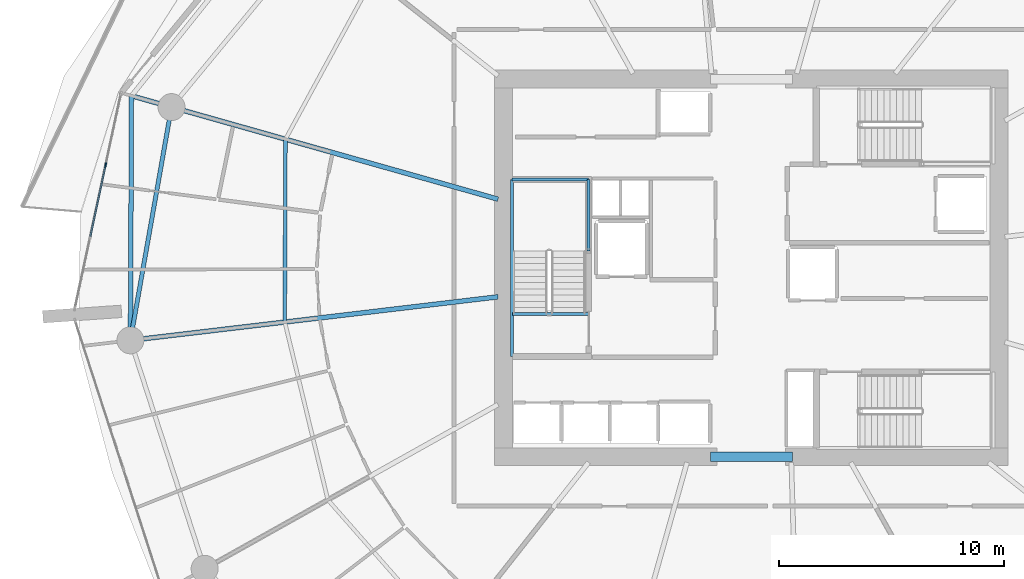
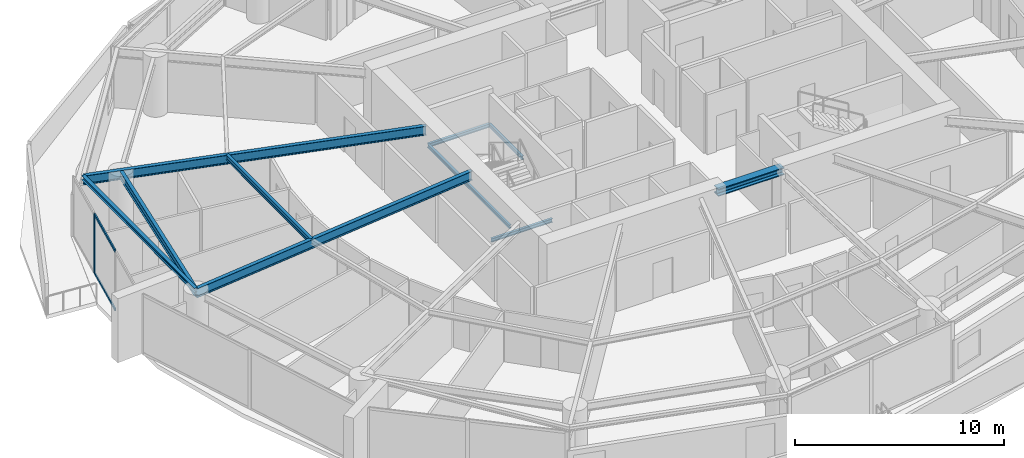
# One storey, part 6 of 23: 10 beams, 3 members, 1 element without a shape of its own.
"""IFC4 building model written with IfcOpenShell, lengths in metres."""

from ifc_helpers import new_model, si_unit, direction, frame, origin, origin_2d, place, context, subcontext, project, spatial, rectangle, i_section, extrude, material, layer, layer_set, material_profile, profile_set, type_object, element, aggregate, save


model = new_model("IFC4")

# Units and contexts
model_context = context("Model", 3, precision=1e-05, world=origin(), true_north=direction((0.0, 1.0)))
body_context = subcontext(model_context, "Body", "Model", "MODEL_VIEW")
ifc_project = project(units=[si_unit("LENGTHUNIT", "METRE"), si_unit("AREAUNIT", "SQUARE_METRE"), si_unit("VOLUMEUNIT", "CUBIC_METRE"), si_unit("PLANEANGLEUNIT", "RADIAN"), si_unit("MASSUNIT", "GRAM", prefix="KILO")], contexts=[model_context])

# Site, building, storey
site_placement = place(None, origin())
site = spatial("IfcSite", under=ifc_project, at=site_placement, CompositionType="ELEMENT")
building_placement = place(site_placement, origin())
building = spatial("IfcBuilding", under=site, at=building_placement, Name="Kazma Halo Residences", CompositionType="ELEMENT")
storey_placement = place(building_placement, frame((0.0, 0.0, 101.39990234375)))
storey = spatial("IfcBuildingStorey", under=building, at=storey_placement, Name="L25", CompositionType="ELEMENT", Elevation=101.39990234375)

# Beams
ifc_material_1 = material(Name="Steel S355", Category="steel")
ifc_material_profile_1 = material_profile(ifc_material_1, i_section(OverallWidth=0.201904296875, OverallDepth=0.2470703125, WebThickness=0.00732421875, FlangeThickness=0.010986328125, FilletRadius=0.011962890625, at=origin_2d()), Name="W250x49.1")
ifc_profile_set_1 = profile_set([ifc_material_profile_1], Name="Steel S355")
beam_type_1 = type_object("IfcBeamType", Name="BM-BAL-CANT", PredefinedType="BEAM", material=ifc_profile_set_1)
beam_1_placement = place(storey_placement, frame((20.8427734375, 49.6591796875, 3.376708984375), z_axis=(-0.004532963616, -0.999989726068, 0.0), x_axis=(0.999989726068, -0.004532963616, 0.0)))
element("IfcBeam", 1, at=beam_1_placement, inside=storey, type_object=beam_type_1, Name="L25 wave-balcony tie beam 07", PredefinedType="BEAM", context=body_context, shape_type="SweptSolid", body=[
    extrude(i_section(OverallWidth=0.201904296875, OverallDepth=0.2470703125, WebThickness=0.00732421875, FlangeThickness=0.010986328125, FilletRadius=0.011962890625, at=origin_2d()), origin(), (0.0, 0.0, 1.0), 10.87939453125),
])
ifc_material_profile_2 = material_profile(ifc_material_1, i_section(OverallWidth=0.408935546875, OverallDepth=0.425048828125, WebThickness=0.03271484375, FlangeThickness=0.052490234375, FilletRadius=0.02001953125, at=origin_2d()), Name="W360x421")
ifc_profile_set_2 = profile_set([ifc_material_profile_2], Name="Steel S355")
beam_type_2 = type_object("IfcBeamType", Name="BM-CORE-W360H", PredefinedType="BEAM", material=ifc_profile_set_2)
beam_2_placement = place(storey_placement, frame((46.60009765625, 33.60009765625, 3.28759765625), z_axis=(1.0, 0.0, 0.0), x_axis=(0.0, 1.0, 0.0)))
element("IfcBeam", 2, at=beam_2_placement, inside=storey, type_object=beam_type_2, Name="L25 core coupling beam S", PredefinedType="BEAM", context=body_context, shape_type="SweptSolid", body=[
    extrude(i_section(OverallWidth=0.408935546875, OverallDepth=0.425048828125, WebThickness=0.03271484375, FlangeThickness=0.052490234375, FilletRadius=0.02001953125, at=origin_2d()), origin(), (0.0, 0.0, 1.0), 3.64990234375),
])
ifc_material_profile_3 = material_profile(ifc_material_1, i_section(OverallWidth=0.208984375, OverallDepth=0.532958984375, WebThickness=0.01025390625, FlangeThickness=0.015625, FilletRadius=0.01611328125, at=origin_2d()), Name="W530x92")
ifc_profile_set_3 = profile_set([ifc_material_profile_3], Name="Steel S355")
beam_type_3 = type_object("IfcBeamType", Name="BM-RAD-W530", PredefinedType="BEAM", material=ifc_profile_set_3)
beam_3_placement = place(storey_placement, frame((37.14990234375, 45.06005859375, 3.233642578125), z_axis=(-0.962454695383, 0.271442368351, 0.0), x_axis=(-0.271442368351, -0.962454695383, 0.0)))
element("IfcBeam", 3, at=beam_3_placement, inside=storey, type_object=beam_type_3, Name="L25 radial floor beam 07", PredefinedType="BEAM", context=body_context, shape_type="SweptSolid", body=[
    extrude(i_section(OverallWidth=0.208984375, OverallDepth=0.532958984375, WebThickness=0.01025390625, FlangeThickness=0.015625, FilletRadius=0.01611328125, at=origin_2d()), origin(), (0.0, 0.0, 1.0), 16.943359375),
])
beam_4_placement = place(storey_placement, frame((37.14990234375, 40.7158203125, 3.233642578125), z_axis=(-0.99306759037, -0.117544718963, 0.0), x_axis=(0.117544718963, -0.99306759037, 0.0)))
element("IfcBeam", 4, at=beam_4_placement, inside=storey, type_object=beam_type_3, Name="L25 radial floor beam 08", PredefinedType="BEAM", context=body_context, shape_type="SweptSolid", body=[
    extrude(i_section(OverallWidth=0.208984375, OverallDepth=0.532958984375, WebThickness=0.01025390625, FlangeThickness=0.015625, FilletRadius=0.01611328125, at=origin_2d()), origin(), (0.0, 0.0, 1.0), 16.470703125),
])
ifc_material_profile_4 = material_profile(ifc_material_1, i_section(OverallWidth=0.1650390625, OverallDepth=0.31005859375, WebThickness=0.005859375, FlangeThickness=0.009765625, FilletRadius=0.011962890625, at=origin_2d()), Name="W310x38.7")
ifc_profile_set_4 = profile_set([ifc_material_profile_4], Name="Steel S355")
beam_type_4 = type_object("IfcBeamType", Name="BM-SEC-W310B", PredefinedType="JOIST", material=ifc_profile_set_4)
beam_5_placement = place(storey_placement, frame((27.69189453125, 47.7275390625, 3.34521484375), z_axis=(-0.003541500645, -0.999993728867, 0.0), x_axis=(0.999993728867, -0.003541500645, 0.0)))
element("IfcBeam", 5, at=beam_5_placement, inside=storey, type_object=beam_type_4, Name="L25 circumferential floor joist 07", PredefinedType="JOIST", context=body_context, shape_type="SweptSolid", body=[
    extrude(i_section(OverallWidth=0.1650390625, OverallDepth=0.31005859375, WebThickness=0.005859375, FlangeThickness=0.009765625, FilletRadius=0.011962890625, at=origin_2d()), origin(), (0.0, 0.0, 1.0), 8.134521484375),
])
ifc_material_profile_5 = material_profile(ifc_material_1, i_section(OverallWidth=0.18994140625, OverallDepth=0.45703125, WebThickness=0.009033203125, FlangeThickness=0.014404296875, FilletRadius=0.01611328125, at=origin_2d()), Name="W460x74")
ifc_profile_set_5 = profile_set([ifc_material_profile_5], Name="Steel S355")
beam_type_5 = type_object("IfcBeamType", Name="BM-SPN-W460", PredefinedType="BEAM", material=ifc_profile_set_5)
beam_6_placement = place(storey_placement, frame((22.623291015625, 49.156982421875, 3.271484375), z_axis=(-0.173653159051, -0.984806874647, 0.0), x_axis=(0.984806874647, -0.173653159051, 0.0)))
element("IfcBeam", 6, at=beam_6_placement, inside=storey, type_object=beam_type_5, Name="L25 perimeter ring beam 07", PredefinedType="BEAM", context=body_context, shape_type="SweptSolid", body=[
    extrude(i_section(OverallWidth=0.18994140625, OverallDepth=0.45703125, WebThickness=0.009033203125, FlangeThickness=0.014404296875, FilletRadius=0.01611328125, at=origin_2d()), origin(), (0.0, 0.0, 1.0), 10.537353515625),
])
ifc_material_profile_6 = material_profile(ifc_material_1, i_section(OverallWidth=0.133056640625, OverallDepth=0.20703125, WebThickness=0.005859375, FlangeThickness=0.00830078125, FilletRadius=0.010009765625, at=origin_2d()), Name="W200x26.6")
ifc_profile_set_6 = profile_set([ifc_material_profile_6], Name="Steel S355")
beam_type_6 = type_object("IfcBeamType", Name="BM-TRIM-W200", PredefinedType="BEAM", material=ifc_profile_set_6)
beam_7_placement = place(storey_placement, frame((37.800048828125, 39.949951171875, -0.35986328125), z_axis=(1.0, 0.0, 0.0), x_axis=(0.0, 1.0, 0.0)))
element("IfcBeam", 7, at=beam_7_placement, inside=storey, type_object=beam_type_6, Name="L25 ST-01 floor landing support beam", PredefinedType="BEAM", context=body_context, shape_type="SweptSolid", body=[
    extrude(i_section(OverallWidth=0.133056640625, OverallDepth=0.20703125, WebThickness=0.005859375, FlangeThickness=0.00830078125, FilletRadius=0.010009765625, at=origin_2d()), origin(), (0.0, 0.0, 1.0), 3.3798828125),
])
beam_8_placement = place(storey_placement, frame((37.780029296875, 38.06005859375, 1.570068359375), z_axis=(0.0, 1.0, 0.0), x_axis=(-1.0, 0.0, 0.0)))
element("IfcBeam", 8, at=beam_8_placement, inside=storey, type_object=beam_type_6, Name="L25 ST-01 landing west wall ledger", PredefinedType="BEAM", context=body_context, shape_type="SweptSolid", body=[
    extrude(i_section(OverallWidth=0.133056640625, OverallDepth=0.20703125, WebThickness=0.005859375, FlangeThickness=0.00830078125, FilletRadius=0.010009765625, at=origin_2d()), origin(), (0.0, 0.0, 1.0), 7.8798828125),
])
beam_9_placement = place(storey_placement, frame((41.179931640625, 42.75, 1.570068359375), z_axis=(0.0, 1.0, 0.0), x_axis=(-1.0, 0.0, 0.0)))
element("IfcBeam", 9, at=beam_9_placement, inside=storey, type_object=beam_type_6, Name="L25 ST-01 landing east wall ledger", PredefinedType="BEAM", context=body_context, shape_type="SweptSolid", body=[
    extrude(i_section(OverallWidth=0.133056640625, OverallDepth=0.20703125, WebThickness=0.005859375, FlangeThickness=0.00830078125, FilletRadius=0.010009765625, at=origin_2d()), origin(), (0.0, 0.0, 1.0), 3.18994140625),
])
beam_10_placement = place(storey_placement, frame((37.780029296875, 45.93994140625, 1.570068359375), z_axis=(1.0, 0.0, 0.0), x_axis=(0.0, 1.0, 0.0)))
element("IfcBeam", 10, at=beam_10_placement, inside=storey, type_object=beam_type_6, Name="L25 ST-01 landing end wall ledger", PredefinedType="BEAM", context=body_context, shape_type="SweptSolid", body=[
    extrude(i_section(OverallWidth=0.133056640625, OverallDepth=0.20703125, WebThickness=0.005859375, FlangeThickness=0.00830078125, FilletRadius=0.010009765625, at=origin_2d()), origin(), (0.0, 0.0, 1.0), 3.39990234375),
])

# Curtain wall, members
ifc_material_2 = material(Name="Aluminium AW-6063 T6 and Triple-Silver Low-E Glass", Category="aluminium")
ifc_layer = layer(ifc_material_2, 0.199951171875)
ifc_layer_set = layer_set([ifc_layer], Name="Aluminium AW-6063 T6 and Triple-Silver Low-E Glass")
curtain_wall_type = type_object("IfcCurtainWallType", Name="CW-SYS-3", PredefinedType="NOTDEFINED", material=ifc_layer_set)
curtain_wall_placement = place(storey_placement, origin())
curtain_wall = element("IfcCurtainWall", 11, at=curtain_wall_placement, inside=storey, type_object=curtain_wall_type, Name="L25 unitised curtain wall B07", PredefinedType="NOTDEFINED")
ifc_material_3 = material(Name="Aluminium AW-6063 T6", Category="aluminium")
ifc_material_profile_7 = material_profile(ifc_material_3, rectangle(XDim=0.070068359375, YDim=0.199951171875, at=origin_2d()), Name="CWM-70x200")
ifc_profile_set_7 = profile_set([ifc_material_profile_7], Name="Aluminium AW-6063 T6")
member_type_1 = type_object("IfcMemberType", Name="CW-SYS-3-MUL", PredefinedType="MULLION", material=ifc_profile_set_7)
member_1_placement = place(storey_placement, frame((19.69287109375, 46.5791015625, 0.0), z_axis=(0.0, 0.0, 1.0), x_axis=(0.977774176093, -0.209660822677, 0.0)))
member_1 = element("IfcMember", 12, at=member_1_placement, type_object=member_type_1, Name="CWS-3 mullion 2", PredefinedType="MULLION", context=body_context, shape_type="SweptSolid", body=[
    extrude(rectangle(XDim=0.070068359375, YDim=0.199951171875, at=origin_2d()), origin(), (0.0, 0.0, 1.0), 3.5),
])
ifc_material_profile_8 = material_profile(ifc_material_3, rectangle(XDim=0.070068359375, YDim=0.14990234375, at=origin_2d()), Name="CWT-70x150")
ifc_profile_set_8 = profile_set([ifc_material_profile_8], Name="Aluminium AW-6063 T6")
member_type_2 = type_object("IfcMemberType", Name="CW-SYS-3-TRN", PredefinedType="USERDEFINED", material=ifc_profile_set_8)
member_2_placement = place(storey_placement, frame((19.685546875, 46.544921875, 0.03515625), z_axis=(-0.209627675811, -0.977781283076, 0.0), x_axis=(0.977781283076, -0.209627675811, 0.0)))
member_2 = element("IfcMember", 13, at=member_2_placement, type_object=member_type_2, Name="CWS-3 transom 2.1", ObjectType="TRANSOM", PredefinedType="USERDEFINED", context=body_context, shape_type="SweptSolid", body=[
    extrude(rectangle(XDim=0.070068359375, YDim=0.14990234375, at=origin_2d()), origin(), (0.0, 0.0, 1.0), 3.213134765625),
])
member_3_placement = place(storey_placement, frame((19.685546875, 46.544921875, 3.465087890625), z_axis=(-0.209627675811, -0.977781283076, 0.0), x_axis=(0.977781283076, -0.209627675811, 0.0)))
member_3 = element("IfcMember", 14, at=member_3_placement, type_object=member_type_2, Name="CWS-3 transom 2.2", ObjectType="TRANSOM", PredefinedType="USERDEFINED", context=body_context, shape_type="SweptSolid", body=[
    extrude(rectangle(XDim=0.070068359375, YDim=0.14990234375, at=origin_2d()), origin(), (0.0, 0.0, 1.0), 3.213134765625),
])
aggregate(curtain_wall, [member_1, member_2, member_3])

save(model, "model.ifc")
